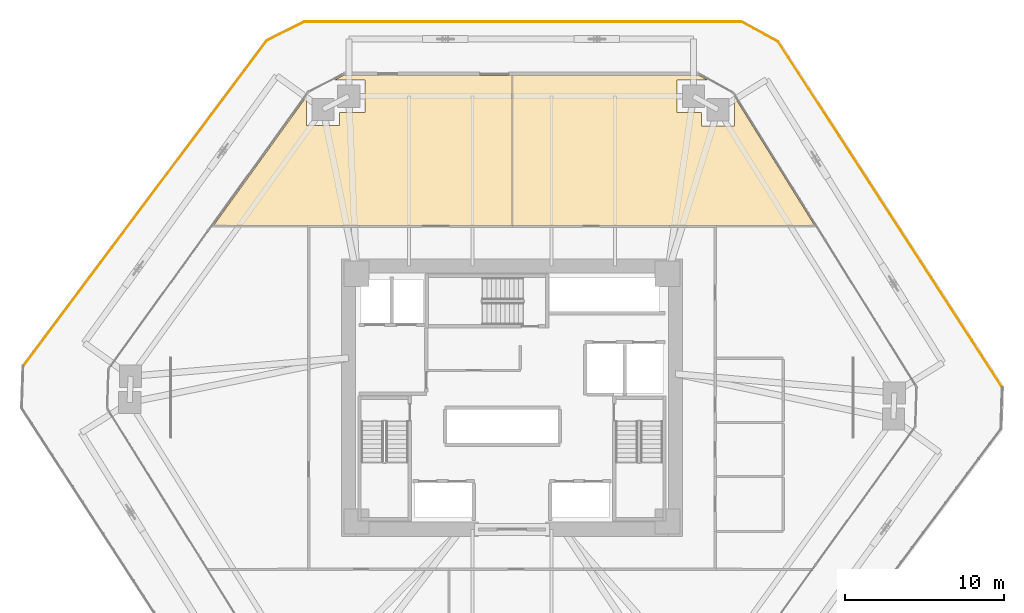
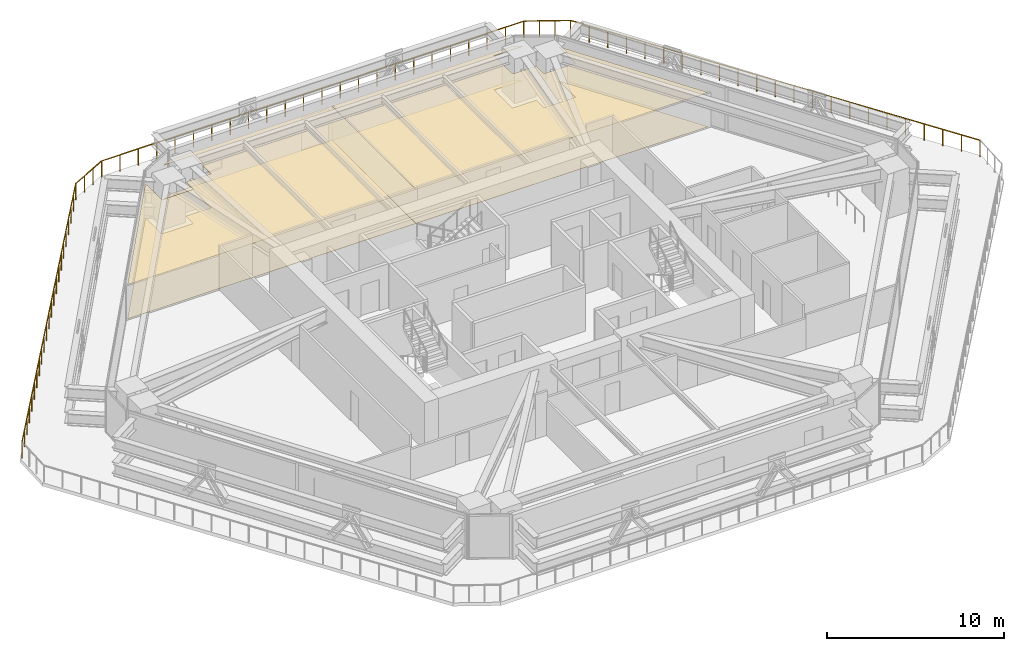
# One storey, part 20 of 20: 5 railings, 4 coverings.
"""IFC4 building model written with IfcOpenShell, lengths in metres."""

from ifc_helpers import new_model, si_unit, direction, frame, origin, origin_2d, place, context, subcontext, project, spatial, polyline, circle, outline, extrude, material, layer, layer_set, type_object, element, save


model = new_model("IFC4")

# Units and contexts
model_context = context("Model", 3, precision=1e-05, world=origin(), true_north=direction((0.0, 1.0)))
body_context = subcontext(model_context, "Body", "Model", "MODEL_VIEW")
ifc_project = project(units=[si_unit("LENGTHUNIT", "METRE"), si_unit("AREAUNIT", "SQUARE_METRE"), si_unit("VOLUMEUNIT", "CUBIC_METRE"), si_unit("PLANEANGLEUNIT", "RADIAN"), si_unit("MASSUNIT", "GRAM", prefix="KILO")], contexts=[model_context])

# Site, building, storey
site_placement = place(None, origin())
site = spatial("IfcSite", under=ifc_project, at=site_placement, CompositionType="ELEMENT")
building_placement = place(site_placement, origin())
building = spatial("IfcBuilding", under=site, at=building_placement, Name="Durnholm Broadcast Tower", CompositionType="ELEMENT")
storey_placement = place(building_placement, frame((0.0, 0.0, 32.39990234375)))
storey = spatial("IfcBuildingStorey", under=building, at=storey_placement, Name="L06", CompositionType="ELEMENT", Elevation=32.39990234375)

# Coverings
ifc_material_1 = material(Name="Mineral Fiber Acoustic Ceiling Tile", Category="concrete")
ifc_layer_1 = layer(ifc_material_1, 0.02490234375)
ifc_layer_set_1 = layer_set([ifc_layer_1], Name="Mineral Fiber Acoustic Ceiling Tile")
covering_type_1 = type_object("IfcCoveringType", Name="COV-CEIL-AC", PredefinedType="CEILING", material=ifc_layer_set_1)
covering_1_placement = place(storey_placement, frame((0.0, 0.0, 2.35009765625)))
element("IfcCovering", 1, at=covering_1_placement, inside=storey, type_object=covering_type_1, Name="L06 Broadcast Newsroom Hall acoustic ceiling", PredefinedType="CEILING", context=body_context, shape_type="SweptSolid", body=[
    extrude(outline(polyline([(-9.2529296875, 17.97021484375), (-10.87744140625, 17.97021484375), (-10.87744140625, 17.138671875), (-12.937255859375, 17.138671875), (-12.937255859375, 18.988525390625), (-18.801513671875, 10.85498046875), (-0.0048828125, 10.85498046875), (-0.0048828125, 20.31494140625), (-10.599609375, 20.31494140625), (-11.15673828125, 20.02978515625), (-9.2529296875, 20.02978515625), (-9.2529296875, 17.97021484375)])), origin(), (0.0, 0.0, 1.0), 0.02490234375),
])
covering_2_placement = place(storey_placement, frame((0.0, 0.0, 2.35009765625)))
element("IfcCovering", 2, at=covering_2_placement, inside=storey, type_object=covering_type_1, Name="L06 Live Assignment Lounge acoustic ceiling", PredefinedType="CEILING", context=body_context, shape_type="SweptSolid", body=[
    extrude(outline(polyline([(11.952880859375, 17.1083984375), (11.952880859375, 17.97021484375), (10.4013671875, 17.97021484375), (10.4013671875, 20.02978515625), (12.28515625, 20.02978515625), (11.771728515625, 20.31494140625), (0.0048828125, 20.31494140625), (0.0048828125, 10.85498046875), (19.067138671875, 10.85498046875), (14.0126953125, 18.971923828125), (14.0126953125, 17.1083984375), (11.952880859375, 17.1083984375)])), origin(), (0.0, 0.0, 1.0), 0.02490234375),
])
ifc_material_2 = material(Name="Engineered Oak Acoustic Broadcast Flooring", Category="wood")
ifc_layer_2 = layer(ifc_material_2, 0.02001953125)
ifc_layer_set_2 = layer_set([ifc_layer_2], Name="Engineered Oak Acoustic Broadcast Flooring")
covering_type_2 = type_object("IfcCoveringType", Name="COV-FLR-OAK", PredefinedType="FLOORING", material=ifc_layer_set_2)
covering_3_placement = place(storey_placement, origin())
element("IfcCovering", 3, at=covering_3_placement, inside=storey, type_object=covering_type_2, Name="L06 Broadcast Newsroom Hall acoustic oak flooring", PredefinedType="FLOORING", context=body_context, shape_type="SweptSolid", body=[
    extrude(outline(polyline([(-9.2529296875, 17.97021484375), (-10.87744140625, 17.97021484375), (-10.87744140625, 17.138671875), (-12.937255859375, 17.138671875), (-12.937255859375, 18.988525390625), (-18.801513671875, 10.85498046875), (-0.0048828125, 10.85498046875), (-0.0048828125, 20.31494140625), (-10.599609375, 20.31494140625), (-11.15673828125, 20.02978515625), (-9.2529296875, 20.02978515625), (-9.2529296875, 17.97021484375)])), origin(), (0.0, 0.0, 1.0), 0.02001953125),
])
covering_4_placement = place(storey_placement, origin())
element("IfcCovering", 4, at=covering_4_placement, inside=storey, type_object=covering_type_2, Name="L06 Live Assignment Lounge acoustic oak flooring", PredefinedType="FLOORING", context=body_context, shape_type="SweptSolid", body=[
    extrude(outline(polyline([(11.952880859375, 17.1083984375), (11.952880859375, 17.97021484375), (10.4013671875, 17.97021484375), (10.4013671875, 20.02978515625), (12.28515625, 20.02978515625), (11.771728515625, 20.31494140625), (0.0048828125, 20.31494140625), (0.0048828125, 10.85498046875), (19.067138671875, 10.85498046875), (14.0126953125, 18.971923828125), (14.0126953125, 17.1083984375), (11.952880859375, 17.1083984375)])), origin(), (0.0, 0.0, 1.0), 0.02001953125),
])

# Railings
ifc_material_3 = material(Name="Stainless Steel and Laminated Glass Guardrail", Category="steel")
railing_type = type_object("IfcRailingType", Name="RAIL-TERR-1150", PredefinedType="GUARDRAIL", material=ifc_material_3)
railing_1_placement = place(storey_placement, frame((-30.80517578125, 1.97900390625, 0.0)))
element("IfcRailing", 5, at=railing_1_placement, inside=storey, type_object=railing_type, Name="L06 sky-terrace perimeter guardrail 02", PredefinedType="GUARDRAIL", context=body_context, shape_type="SweptSolid", body=[
    extrude(circle(Radius=0.02392578125, at=origin_2d()), frame((0.0, 0.0, 1.1259765625), z_axis=(0.599160119782, 0.800629221839, 0.0), x_axis=(-0.800629221839, 0.599160119782, 0.0)), (0.0, 0.0, 1.0), 25.636962890625),
    extrude(circle(Radius=0.02099609375, at=origin_2d()), origin(), (0.0, 0.0, 1.0), 1.101806640625),
    extrude(circle(Radius=0.02099609375, at=origin_2d()), frame((0.6982421875, 0.93310546875, 0.0)), (0.0, 0.0, 1.0), 1.101806640625),
    extrude(circle(Radius=0.02099609375, at=origin_2d()), frame((1.396484375, 1.865966796875, 0.0)), (0.0, 0.0, 1.0), 1.101806640625),
    extrude(circle(Radius=0.02099609375, at=origin_2d()), frame((2.0947265625, 2.798828125, 0.0)), (0.0, 0.0, 1.0), 1.101806640625),
    extrude(circle(Radius=0.02099609375, at=origin_2d()), frame((2.792724609375, 3.73193359375, 0.0)), (0.0, 0.0, 1.0), 1.101806640625),
    extrude(circle(Radius=0.02099609375, at=origin_2d()), frame((3.490966796875, 4.6650390625, 0.0)), (0.0, 0.0, 1.0), 1.101806640625),
    extrude(circle(Radius=0.02099609375, at=origin_2d()), frame((4.189208984375, 5.597900390625, 0.0)), (0.0, 0.0, 1.0), 1.101806640625),
    extrude(circle(Radius=0.02099609375, at=origin_2d()), frame((4.887451171875, 6.53076171875, 0.0)), (0.0, 0.0, 1.0), 1.101806640625),
    extrude(circle(Radius=0.02099609375, at=origin_2d()), frame((5.585693359375, 7.4638671875, 0.0)), (0.0, 0.0, 1.0), 1.101806640625),
    extrude(circle(Radius=0.02099609375, at=origin_2d()), frame((6.283935546875, 8.39697265625, 0.0)), (0.0, 0.0, 1.0), 1.101806640625),
    extrude(circle(Radius=0.02099609375, at=origin_2d()), frame((6.982177734375, 9.329833984375, 0.0)), (0.0, 0.0, 1.0), 1.101806640625),
    extrude(circle(Radius=0.02099609375, at=origin_2d()), frame((7.68017578125, 10.2626953125, 0.0)), (0.0, 0.0, 1.0), 1.101806640625),
    extrude(circle(Radius=0.02099609375, at=origin_2d()), frame((8.37841796875, 11.19580078125, 0.0)), (0.0, 0.0, 1.0), 1.101806640625),
    extrude(circle(Radius=0.02099609375, at=origin_2d()), frame((9.07666015625, 12.12890625, 0.0)), (0.0, 0.0, 1.0), 1.101806640625),
    extrude(circle(Radius=0.02099609375, at=origin_2d()), frame((9.77490234375, 13.061767578125, 0.0)), (0.0, 0.0, 1.0), 1.101806640625),
    extrude(circle(Radius=0.02099609375, at=origin_2d()), frame((10.47314453125, 13.99462890625, 0.0)), (0.0, 0.0, 1.0), 1.101806640625),
    extrude(circle(Radius=0.02099609375, at=origin_2d()), frame((11.17138671875, 14.927734375, 0.0)), (0.0, 0.0, 1.0), 1.101806640625),
    extrude(circle(Radius=0.02099609375, at=origin_2d()), frame((11.86962890625, 15.86083984375, 0.0)), (0.0, 0.0, 1.0), 1.101806640625),
    extrude(circle(Radius=0.02099609375, at=origin_2d()), frame((12.56787109375, 16.793701171875, 0.0)), (0.0, 0.0, 1.0), 1.101806640625),
    extrude(circle(Radius=0.02099609375, at=origin_2d()), frame((13.265869140625, 17.7265625, 0.0)), (0.0, 0.0, 1.0), 1.101806640625),
    extrude(circle(Radius=0.02099609375, at=origin_2d()), frame((13.964111328125, 18.65966796875, 0.0)), (0.0, 0.0, 1.0), 1.101806640625),
    extrude(circle(Radius=0.02099609375, at=origin_2d()), frame((14.662353515625, 19.5927734375, 0.0)), (0.0, 0.0, 1.0), 1.101806640625),
    extrude(circle(Radius=0.02099609375, at=origin_2d()), frame((15.360595703125, 20.525634765625, 0.0)), (0.0, 0.0, 1.0), 1.101806640625),
])
railing_2_placement = place(storey_placement, frame((-15.444580078125, 22.504638671875, 0.0)))
element("IfcRailing", 6, at=railing_2_placement, inside=storey, type_object=railing_type, Name="L06 sky-terrace perimeter guardrail 03", PredefinedType="GUARDRAIL", context=body_context, shape_type="SweptSolid", body=[
    extrude(circle(Radius=0.02392578125, at=origin_2d()), frame((0.0, 0.0, 1.1259765625), z_axis=(0.894205789078, 0.44765612559, 0.0), x_axis=(-0.44765612559, 0.894205789078, 0.0)), (0.0, 0.0, 1.0), 2.647705078125),
    extrude(circle(Radius=0.02099609375, at=origin_2d()), origin(), (0.0, 0.0, 1.0), 1.101806640625),
    extrude(circle(Radius=0.02099609375, at=origin_2d()), frame((0.789306640625, 0.39501953125, 0.0)), (0.0, 0.0, 1.0), 1.101806640625),
    extrude(circle(Radius=0.02099609375, at=origin_2d()), frame((1.578369140625, 0.790283203125, 0.0)), (0.0, 0.0, 1.0), 1.101806640625),
    extrude(circle(Radius=0.02099609375, at=origin_2d()), frame((2.36767578125, 1.185302734375, 0.0)), (0.0, 0.0, 1.0), 1.101806640625),
])
railing_3_placement = place(storey_placement, frame((-13.076904296875, 23.68994140625, 0.0)))
element("IfcRailing", 7, at=railing_3_placement, inside=storey, type_object=railing_type, Name="L06 sky-terrace perimeter guardrail 04", PredefinedType="GUARDRAIL", context=body_context, shape_type="SweptSolid", body=[
    extrude(circle(Radius=0.02392578125, at=origin_2d()), frame((0.0, 0.0, 1.1259765625), z_axis=(1.0, 0.0, 0.0), x_axis=(0.0, 1.0, 0.0)), (0.0, 0.0, 1.0), 27.52392578125),
    extrude(circle(Radius=0.02099609375, at=origin_2d()), origin(), (0.0, 0.0, 1.0), 1.101806640625),
    extrude(circle(Radius=0.02099609375, at=origin_2d()), frame((1.19677734375, 0.0, 0.0)), (0.0, 0.0, 1.0), 1.101806640625),
    extrude(circle(Radius=0.02099609375, at=origin_2d()), frame((2.393310546875, 0.0, 0.0)), (0.0, 0.0, 1.0), 1.101806640625),
    extrude(circle(Radius=0.02099609375, at=origin_2d()), frame((3.590087890625, 0.0, 0.0)), (0.0, 0.0, 1.0), 1.101806640625),
    extrude(circle(Radius=0.02099609375, at=origin_2d()), frame((4.786865234375, 0.0, 0.0)), (0.0, 0.0, 1.0), 1.101806640625),
    extrude(circle(Radius=0.02099609375, at=origin_2d()), frame((5.9833984375, 0.0, 0.0)), (0.0, 0.0, 1.0), 1.101806640625),
    extrude(circle(Radius=0.02099609375, at=origin_2d()), frame((7.18017578125, 0.0, 0.0)), (0.0, 0.0, 1.0), 1.101806640625),
    extrude(circle(Radius=0.02099609375, at=origin_2d()), frame((8.376953125, 0.0, 0.0)), (0.0, 0.0, 1.0), 1.101806640625),
    extrude(circle(Radius=0.02099609375, at=origin_2d()), frame((9.573486328125, 0.0, 0.0)), (0.0, 0.0, 1.0), 1.101806640625),
    extrude(circle(Radius=0.02099609375, at=origin_2d()), frame((10.770263671875, 0.0, 0.0)), (0.0, 0.0, 1.0), 1.101806640625),
    extrude(circle(Radius=0.02099609375, at=origin_2d()), frame((11.967041015625, 0.0, 0.0)), (0.0, 0.0, 1.0), 1.101806640625),
    extrude(circle(Radius=0.02099609375, at=origin_2d()), frame((13.16357421875, 0.0, 0.0)), (0.0, 0.0, 1.0), 1.101806640625),
    extrude(circle(Radius=0.02099609375, at=origin_2d()), frame((14.3603515625, 0.0, 0.0)), (0.0, 0.0, 1.0), 1.101806640625),
    extrude(circle(Radius=0.02099609375, at=origin_2d()), frame((15.556884765625, 0.0, 0.0)), (0.0, 0.0, 1.0), 1.101806640625),
    extrude(circle(Radius=0.02099609375, at=origin_2d()), frame((16.753662109375, 0.0, 0.0)), (0.0, 0.0, 1.0), 1.101806640625),
    extrude(circle(Radius=0.02099609375, at=origin_2d()), frame((17.950439453125, 0.0, 0.0)), (0.0, 0.0, 1.0), 1.101806640625),
    extrude(circle(Radius=0.02099609375, at=origin_2d()), frame((19.14697265625, 0.0, 0.0)), (0.0, 0.0, 1.0), 1.101806640625),
    extrude(circle(Radius=0.02099609375, at=origin_2d()), frame((20.34375, 0.0, 0.0)), (0.0, 0.0, 1.0), 1.101806640625),
    extrude(circle(Radius=0.02099609375, at=origin_2d()), frame((21.54052734375, 0.0, 0.0)), (0.0, 0.0, 1.0), 1.101806640625),
    extrude(circle(Radius=0.02099609375, at=origin_2d()), frame((22.737060546875, 0.0, 0.0)), (0.0, 0.0, 1.0), 1.101806640625),
    extrude(circle(Radius=0.02099609375, at=origin_2d()), frame((23.933837890625, 0.0, 0.0)), (0.0, 0.0, 1.0), 1.101806640625),
    extrude(circle(Radius=0.02099609375, at=origin_2d()), frame((25.130615234375, 0.0, 0.0)), (0.0, 0.0, 1.0), 1.101806640625),
    extrude(circle(Radius=0.02099609375, at=origin_2d()), frame((26.3271484375, 0.0, 0.0)), (0.0, 0.0, 1.0), 1.101806640625),
    extrude(circle(Radius=0.02099609375, at=origin_2d()), frame((27.52392578125, 0.0, 0.0)), (0.0, 0.0, 1.0), 1.101806640625),
])
railing_4_placement = place(storey_placement, frame((14.447021484375, 23.68994140625, 0.0)))
element("IfcRailing", 8, at=railing_4_placement, inside=storey, type_object=railing_type, Name="L06 sky-terrace perimeter guardrail 05", PredefinedType="GUARDRAIL", context=body_context, shape_type="SweptSolid", body=[
    extrude(circle(Radius=0.02392578125, at=origin_2d()), frame((0.0, 0.0, 1.1259765625), z_axis=(0.878674188157, -0.47742190049, 0.0), x_axis=(0.47742190049, 0.878674188157, 0.0)), (0.0, 0.0, 1.0), 2.644287109375),
    extrude(circle(Radius=0.02099609375, at=origin_2d()), origin(), (0.0, 0.0, 1.0), 1.101806640625),
    extrude(circle(Radius=0.02099609375, at=origin_2d()), frame((0.7744140625, -0.4208984375, 0.0)), (0.0, 0.0, 1.0), 1.101806640625),
    extrude(circle(Radius=0.02099609375, at=origin_2d()), frame((1.549072265625, -0.841552734375, 0.0)), (0.0, 0.0, 1.0), 1.101806640625),
    extrude(circle(Radius=0.02099609375, at=origin_2d()), frame((2.323486328125, -1.262451171875, 0.0)), (0.0, 0.0, 1.0), 1.101806640625),
])
railing_5_placement = place(storey_placement, frame((16.7705078125, 22.427490234375, 0.0)))
element("IfcRailing", 9, at=railing_5_placement, inside=storey, type_object=railing_type, Name="L06 sky-terrace perimeter guardrail 06", PredefinedType="GUARDRAIL", context=body_context, shape_type="SweptSolid", body=[
    extrude(circle(Radius=0.02392578125, at=origin_2d()), frame((0.0, 0.0, 1.1259765625), z_axis=(0.544112909039, -0.839012003619, 0.0), x_axis=(0.839012003619, 0.544112909039, 0.0)), (0.0, 0.0, 1.0), 25.95556640625),
    extrude(circle(Radius=0.02099609375, at=origin_2d()), origin(), (0.0, 0.0, 1.0), 1.101806640625),
    extrude(circle(Radius=0.02099609375, at=origin_2d()), frame((0.641845703125, -0.98974609375, 0.0)), (0.0, 0.0, 1.0), 1.101806640625),
    extrude(circle(Radius=0.02099609375, at=origin_2d()), frame((1.283935546875, -1.979736328125, 0.0)), (0.0, 0.0, 1.0), 1.101806640625),
    extrude(circle(Radius=0.02099609375, at=origin_2d()), frame((1.92578125, -2.9697265625, 0.0)), (0.0, 0.0, 1.0), 1.101806640625),
    extrude(circle(Radius=0.02099609375, at=origin_2d()), frame((2.56787109375, -3.95947265625, 0.0)), (0.0, 0.0, 1.0), 1.101806640625),
    extrude(circle(Radius=0.02099609375, at=origin_2d()), frame((3.209716796875, -4.94921875, 0.0)), (0.0, 0.0, 1.0), 1.101806640625),
    extrude(circle(Radius=0.02099609375, at=origin_2d()), frame((3.8515625, -5.939208984375, 0.0)), (0.0, 0.0, 1.0), 1.101806640625),
    extrude(circle(Radius=0.02099609375, at=origin_2d()), frame((4.49365234375, -6.92919921875, 0.0)), (0.0, 0.0, 1.0), 1.101806640625),
    extrude(circle(Radius=0.02099609375, at=origin_2d()), frame((5.135498046875, -7.9189453125, 0.0)), (0.0, 0.0, 1.0), 1.101806640625),
    extrude(circle(Radius=0.02099609375, at=origin_2d()), frame((5.777587890625, -8.90869140625, 0.0)), (0.0, 0.0, 1.0), 1.101806640625),
    extrude(circle(Radius=0.02099609375, at=origin_2d()), frame((6.41943359375, -9.898681640625, 0.0)), (0.0, 0.0, 1.0), 1.101806640625),
    extrude(circle(Radius=0.02099609375, at=origin_2d()), frame((7.0615234375, -10.888671875, 0.0)), (0.0, 0.0, 1.0), 1.101806640625),
    extrude(circle(Radius=0.02099609375, at=origin_2d()), frame((7.703369140625, -11.87841796875, 0.0)), (0.0, 0.0, 1.0), 1.101806640625),
    extrude(circle(Radius=0.02099609375, at=origin_2d()), frame((8.34521484375, -12.8681640625, 0.0)), (0.0, 0.0, 1.0), 1.101806640625),
    extrude(circle(Radius=0.02099609375, at=origin_2d()), frame((8.9873046875, -13.858154296875, 0.0)), (0.0, 0.0, 1.0), 1.101806640625),
    extrude(circle(Radius=0.02099609375, at=origin_2d()), frame((9.629150390625, -14.847900390625, 0.0)), (0.0, 0.0, 1.0), 1.101806640625),
    extrude(circle(Radius=0.02099609375, at=origin_2d()), frame((10.271240234375, -15.837890625, 0.0)), (0.0, 0.0, 1.0), 1.101806640625),
    extrude(circle(Radius=0.02099609375, at=origin_2d()), frame((10.9130859375, -16.82763671875, 0.0)), (0.0, 0.0, 1.0), 1.101806640625),
    extrude(circle(Radius=0.02099609375, at=origin_2d()), frame((11.554931640625, -17.817626953125, 0.0)), (0.0, 0.0, 1.0), 1.101806640625),
    extrude(circle(Radius=0.02099609375, at=origin_2d()), frame((12.197021484375, -18.8076171875, 0.0)), (0.0, 0.0, 1.0), 1.101806640625),
    extrude(circle(Radius=0.02099609375, at=origin_2d()), frame((12.8388671875, -19.79736328125, 0.0)), (0.0, 0.0, 1.0), 1.101806640625),
    extrude(circle(Radius=0.02099609375, at=origin_2d()), frame((13.48095703125, -20.787109375, 0.0)), (0.0, 0.0, 1.0), 1.101806640625),
    extrude(circle(Radius=0.02099609375, at=origin_2d()), frame((14.122802734375, -21.777099609375, 0.0)), (0.0, 0.0, 1.0), 1.101806640625),
])

save(model, "model.ifc")
